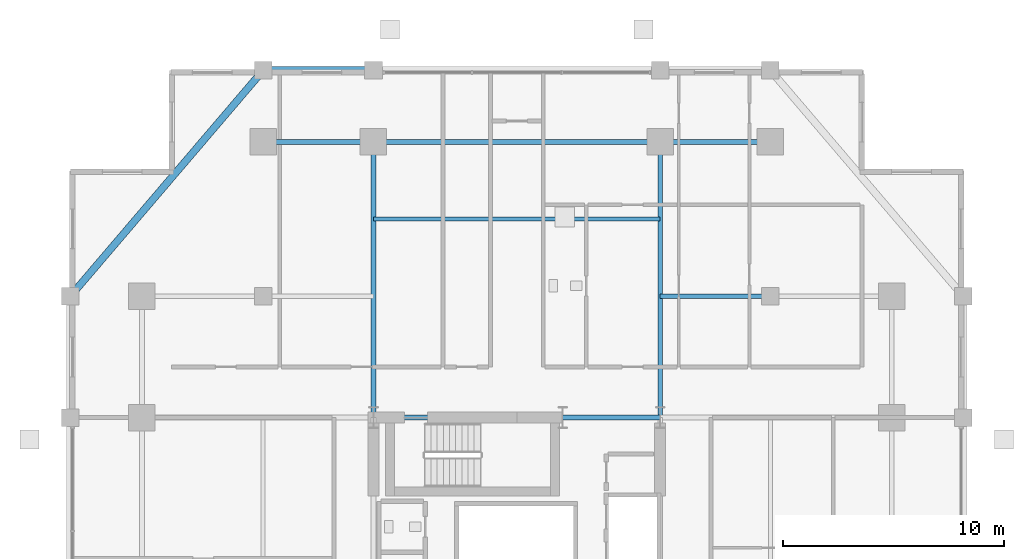
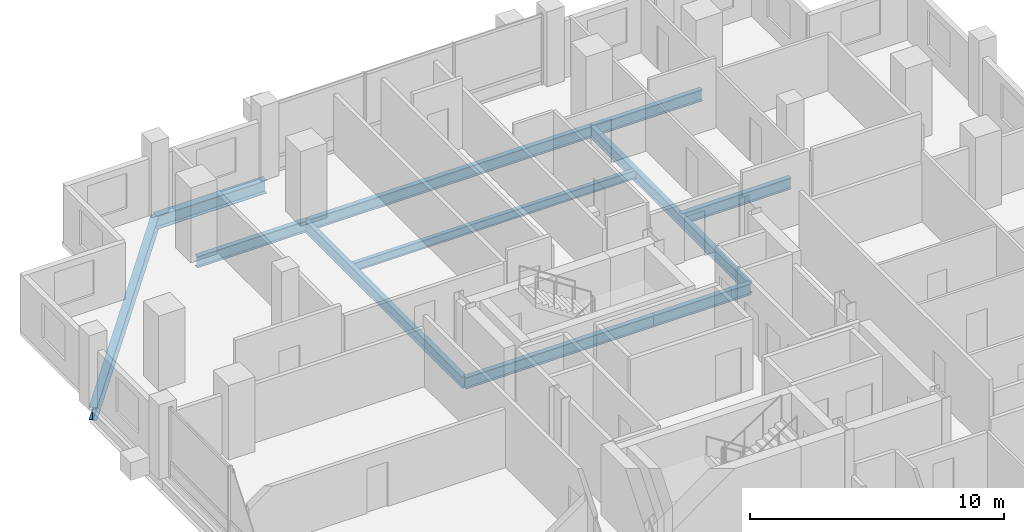
# One storey, part 9 of 19: 11 beams.
"""IFC4 building model written with IfcOpenShell, lengths in metres."""

from ifc_helpers import new_model, si_unit, direction, frame, origin, origin_2d, place, context, subcontext, project, spatial, i_section, extrude, material, material_profile, profile_set, type_object, element, save


model = new_model("IFC4")

# Units and contexts
model_context = context("Model", 3, precision=1e-05, world=origin(), true_north=direction((0.0, 1.0)))
body_context = subcontext(model_context, "Body", "Model", "MODEL_VIEW")
ifc_project = project(units=[si_unit("LENGTHUNIT", "METRE"), si_unit("AREAUNIT", "SQUARE_METRE"), si_unit("VOLUMEUNIT", "CUBIC_METRE"), si_unit("PLANEANGLEUNIT", "RADIAN"), si_unit("MASSUNIT", "GRAM", prefix="KILO")], contexts=[model_context])

# Site, building, storey
site_placement = place(None, origin())
site = spatial("IfcSite", under=ifc_project, at=site_placement, CompositionType="ELEMENT")
building_placement = place(site_placement, origin())
building = spatial("IfcBuilding", under=site, at=building_placement, Name="Barlavira Tower and Art Museum", CompositionType="ELEMENT")
storey_placement = place(building_placement, frame((0.0, 0.0, 158.39990234375)))
storey = spatial("IfcBuildingStorey", under=building, at=storey_placement, Name="L40", CompositionType="ELEMENT", Elevation=158.39990234375)

# Beams
ifc_material = material(Name="Steel S355", Category="steel")
ifc_material_profile_1 = material_profile(ifc_material, i_section(OverallWidth=0.327880859375, OverallDepth=0.62890625, WebThickness=0.013916015625, FlangeThickness=0.021484375, at=origin_2d()), Name="W610x174.0")
ifc_profile_set_1 = profile_set([ifc_material_profile_1], Name="Steel S355")
beam_type_1 = type_object("IfcBeamType", Name="Perimeter Spandrel Edge Beam W610x174 Steel S355", PredefinedType="SPANDREL", material=ifc_profile_set_1)
beam_1_placement = place(storey_placement, frame((-11.5, 23.25, -0.534423828125), z_axis=(1.0, 0.0, 0.0), x_axis=(0.0, 1.0, 0.0)))
element("IfcBeam", 1, at=beam_1_placement, inside=storey, type_object=beam_type_1, Name="L40 Spandrel 11", PredefinedType="SPANDREL", context=body_context, shape_type="SweptSolid", body=[
    extrude(i_section(OverallWidth=0.327880859375, OverallDepth=0.62890625, WebThickness=0.013916015625, FlangeThickness=0.021484375, at=origin_2d()), origin(), (0.0, 0.0, 1.0), 5.0),
])
beam_2_placement = place(storey_placement, frame((-11.5, 23.25, -0.534423828125), z_axis=(-0.649262379928, -0.760564502202, 0.0), x_axis=(0.760564502202, -0.649262379928, 0.0)))
element("IfcBeam", 2, at=beam_2_placement, inside=storey, type_object=beam_type_1, Name="L40 Spandrel 12", PredefinedType="SPANDREL", context=body_context, shape_type="SweptSolid", body=[
    extrude(i_section(OverallWidth=0.327880859375, OverallDepth=0.62890625, WebThickness=0.013916015625, FlangeThickness=0.021484375, at=origin_2d()), origin(), (0.0, 0.0, 1.0), 13.476806640625),
])
ifc_material_profile_2 = material_profile(ifc_material, i_section(OverallWidth=0.214111328125, OverallDepth=0.549072265625, WebThickness=0.0146484375, FlangeThickness=0.023681640625, at=origin_2d()), Name="W530x138.0")
ifc_profile_set_2 = profile_set([ifc_material_profile_2], Name="Steel S355")
beam_type_2 = type_object("IfcBeamType", Name="Zone 1 Primary Floor Girder W530x138 Steel S355", PredefinedType="BEAM", material=ifc_profile_set_2)
beam_3_placement = place(storey_placement, frame((-6.5, 7.5, -0.494384765625), z_axis=(1.0, 0.0, 0.0), x_axis=(0.0, 1.0, 0.0)))
element("IfcBeam", 3, at=beam_3_placement, inside=storey, type_object=beam_type_2, Name="L40 Girder C-N1", PredefinedType="BEAM", context=body_context, shape_type="SweptSolid", body=[
    extrude(i_section(OverallWidth=0.214111328125, OverallDepth=0.549072265625, WebThickness=0.0146484375, FlangeThickness=0.023681640625, at=origin_2d()), origin(), (0.0, 0.0, 1.0), 8.580078125),
])
beam_4_placement = place(storey_placement, frame((2.080078125, 7.5, -0.494384765625), z_axis=(1.0, 0.0, 0.0), x_axis=(0.0, 1.0, 0.0)))
element("IfcBeam", 4, at=beam_4_placement, inside=storey, type_object=beam_type_2, Name="L40 Girder C-N2", PredefinedType="BEAM", context=body_context, shape_type="SweptSolid", body=[
    extrude(i_section(OverallWidth=0.214111328125, OverallDepth=0.549072265625, WebThickness=0.0146484375, FlangeThickness=0.023681640625, at=origin_2d()), origin(), (0.0, 0.0, 1.0), 4.419921875),
])
beam_5_placement = place(storey_placement, frame((-11.5, 20.0, -0.494384765625), z_axis=(1.0, 0.0, 0.0), x_axis=(0.0, 1.0, 0.0)))
element("IfcBeam", 5, at=beam_5_placement, inside=storey, type_object=beam_type_2, Name="L40 Girder M-N1", PredefinedType="BEAM", context=body_context, shape_type="SweptSolid", body=[
    extrude(i_section(OverallWidth=0.214111328125, OverallDepth=0.549072265625, WebThickness=0.0146484375, FlangeThickness=0.023681640625, at=origin_2d()), origin(), (0.0, 0.0, 1.0), 5.0),
])
beam_6_placement = place(storey_placement, frame((-6.5, 20.0, -0.494384765625), z_axis=(1.0, 0.0, 0.0), x_axis=(0.0, 1.0, 0.0)))
element("IfcBeam", 6, at=beam_6_placement, inside=storey, type_object=beam_type_2, Name="L40 Girder M-N2", PredefinedType="BEAM", context=body_context, shape_type="SweptSolid", body=[
    extrude(i_section(OverallWidth=0.214111328125, OverallDepth=0.549072265625, WebThickness=0.0146484375, FlangeThickness=0.023681640625, at=origin_2d()), origin(), (0.0, 0.0, 1.0), 13.0),
])
beam_7_placement = place(storey_placement, frame((6.5, 20.0, -0.494384765625), z_axis=(1.0, 0.0, 0.0), x_axis=(0.0, 1.0, 0.0)))
element("IfcBeam", 7, at=beam_7_placement, inside=storey, type_object=beam_type_2, Name="L40 Girder M-N3", PredefinedType="BEAM", context=body_context, shape_type="SweptSolid", body=[
    extrude(i_section(OverallWidth=0.214111328125, OverallDepth=0.549072265625, WebThickness=0.0146484375, FlangeThickness=0.023681640625, at=origin_2d()), origin(), (0.0, 0.0, 1.0), 5.0),
])
for number, where, z_axis, x_axis, name in (
    (8, (-6.5, 7.5, -0.494384765625), (0.0, 1.0, 0.0), (-1.0, 0.0, 0.0), "L40 Girder R-N1"),
    (9, (6.5, 7.5, -0.494384765625), (0.0, 1.0, 0.0), (-1.0, 0.0, 0.0), "L40 Girder R-N2"),
):
    element("IfcBeam", number, at=place(storey_placement, frame(where, z_axis=z_axis, x_axis=x_axis)), inside=storey, type_object=beam_type_2, Name=name, PredefinedType="BEAM", context=body_context, shape_type="SweptSolid", body=[
        extrude(i_section(OverallWidth=0.214111328125, OverallDepth=0.549072265625, WebThickness=0.0146484375, FlangeThickness=0.023681640625, at=origin_2d()), origin(), (0.0, 0.0, 1.0), 12.5),
    ])
beam_8_placement = place(storey_placement, frame((6.5, 13.0, -0.494384765625), z_axis=(1.0, 0.0, 0.0), x_axis=(0.0, 1.0, 0.0)))
element("IfcBeam", 10, at=beam_8_placement, inside=storey, type_object=beam_type_2, Name="L40 Girder I-N3", PredefinedType="BEAM", context=body_context, shape_type="SweptSolid", body=[
    extrude(i_section(OverallWidth=0.214111328125, OverallDepth=0.549072265625, WebThickness=0.0146484375, FlangeThickness=0.023681640625, at=origin_2d()), origin(), (0.0, 0.0, 1.0), 5.0),
])
ifc_material_profile_3 = material_profile(ifc_material, i_section(OverallWidth=0.179931640625, OverallDepth=0.4130859375, WebThickness=0.009765625, FlangeThickness=0.01611328125, at=origin_2d()), Name="W410x75.0")
ifc_profile_set_3 = profile_set([ifc_material_profile_3], Name="Steel S355")
beam_type_3 = type_object("IfcBeamType", Name="Zone 2 Composite Floor Joist W410x75 Steel S355", PredefinedType="JOIST", material=ifc_profile_set_3)
beam_9_placement = place(storey_placement, frame((-6.5, 16.5, -0.426513671875), z_axis=(1.0, 0.0, 0.0), x_axis=(0.0, 1.0, 0.0)))
element("IfcBeam", 11, at=beam_9_placement, inside=storey, type_object=beam_type_3, Name="L40 Joist C2", PredefinedType="JOIST", context=body_context, shape_type="SweptSolid", body=[
    extrude(i_section(OverallWidth=0.179931640625, OverallDepth=0.4130859375, WebThickness=0.009765625, FlangeThickness=0.01611328125, at=origin_2d()), origin(), (0.0, 0.0, 1.0), 13.0),
])

save(model, "model.ifc")
